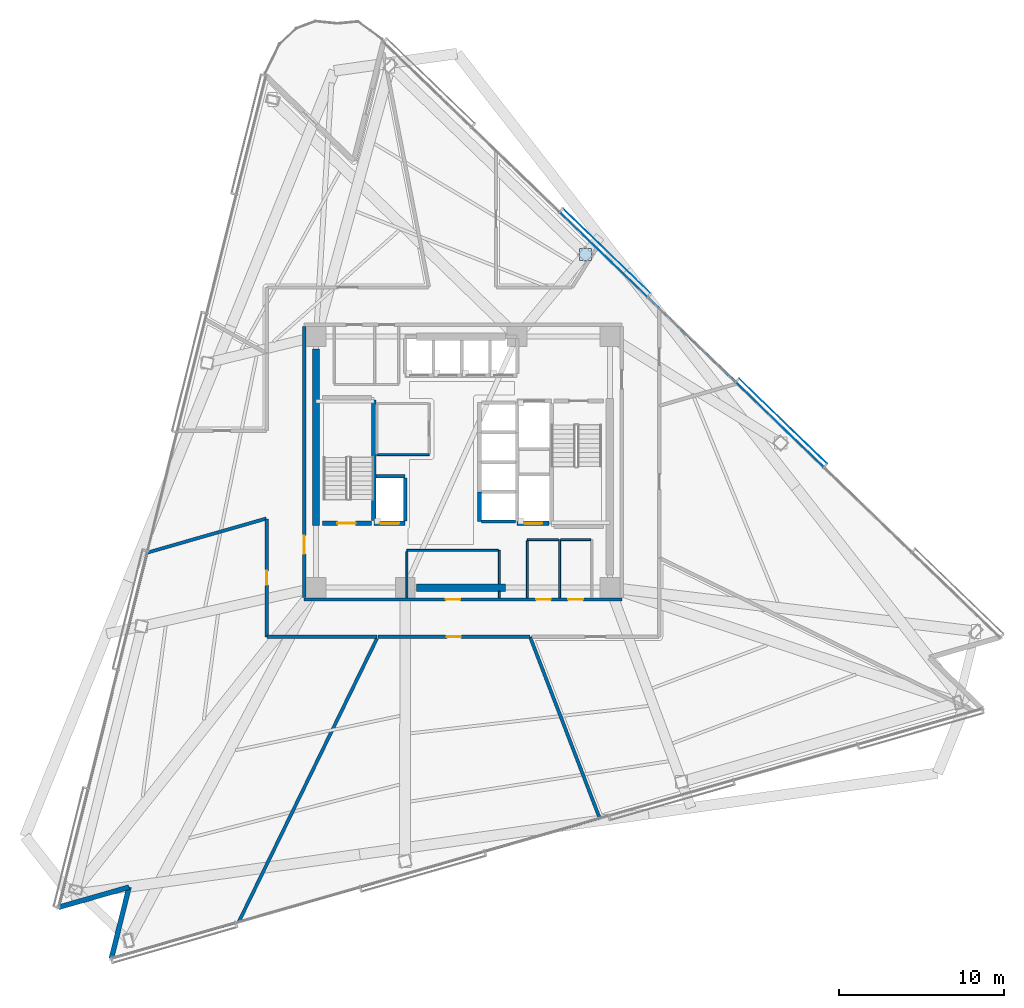
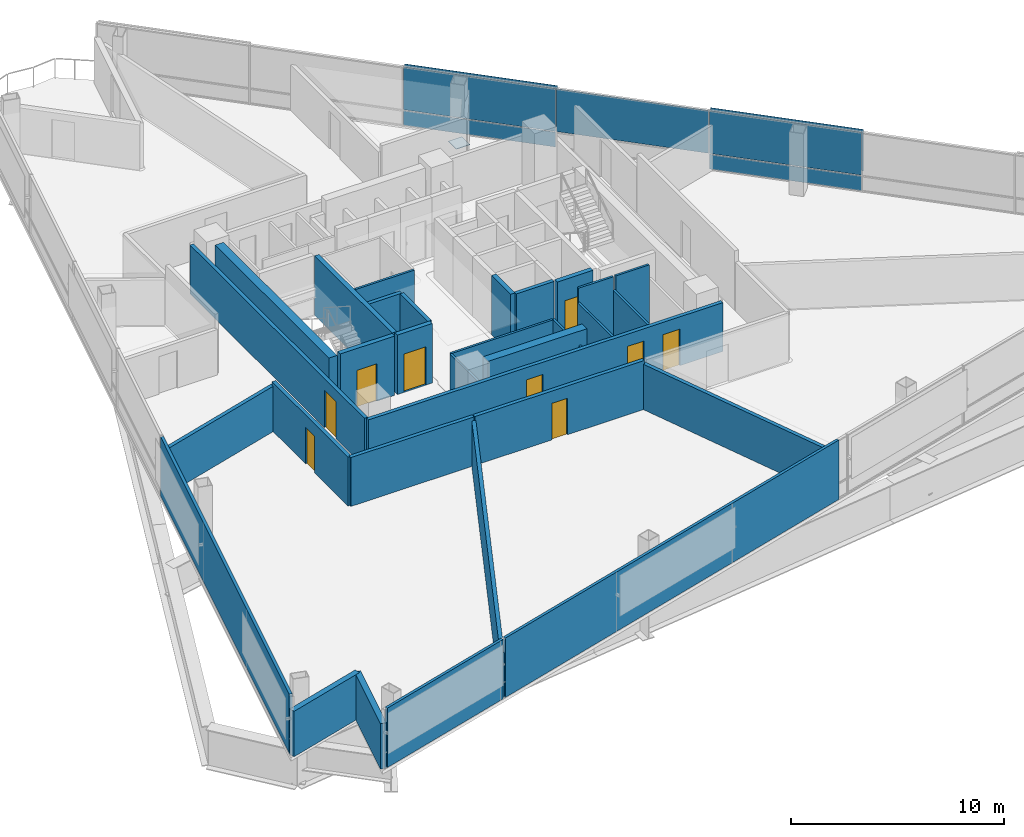
# One storey, part 11 of 21: 32 walls, 9 doors, 8 plates, 9 openings, 1 element without a shape of its own.
"""IFC4 building model written with IfcOpenShell, lengths in metres."""

import ifcopenshell
import ifcopenshell.guid

model = None  # the IFC model being written
_history = None  # IfcOwnerHistory: only IFC2X3 demands one
_inside = {}  # id of a spatial element -> (the spatial element, [elements in it])
_under = {}  # id of a project, library or spatial element -> (it, [spatial elements below it])
_declared = {}  # id of a project -> (the project, [libraries it declares])
_typed = {}  # id of a type object -> (the type object, [elements of that type])
_made_of = {}  # id of a material, layer set ... -> (it, [elements and type objects made of it])


def new_model(schema):
    """Start an empty IFC model of exactly this schema.

    Asked for "IFC4X3", IfcOpenShell would pick the latest addendum, in which some entities
    have other attributes; the version numbers below select the first issue.
    IFC2X3 requires an IfcOwnerHistory on every rooted entity: one is made here for all.
    """
    global model, _history
    if schema == "IFC4X3":
        model = ifcopenshell.file(schema_version=(4, 3, 0, 0))
    else:
        model = ifcopenshell.file(schema=schema)
    _inside.clear()
    _under.clear()
    _declared.clear()
    _typed.clear()
    _made_of.clear()
    _history = None
    if model.schema == "IFC2X3":
        org = make("IfcOrganization", Name="unknown")
        user = make(
            "IfcPersonAndOrganization",
            ThePerson=make("IfcPerson", FamilyName="unknown"),
            TheOrganization=org,
        )
        app = make(
            "IfcApplication",
            ApplicationDeveloper=org,
            Version="unknown",
            ApplicationFullName="unknown",
            ApplicationIdentifier="unknown",
        )
        _history = make(
            "IfcOwnerHistory",
            OwningUser=user,
            OwningApplication=app,
            ChangeAction="ADDED",
            CreationDate=0,
        )
    return model


def make(cls, **values):
    """One entity of the class cls with the attributes given. An attribute that is None is left unset."""
    return model.create_entity(
        cls, **{name: value for name, value in values.items() if value is not None}
    )


def rooted(cls, **values):
    """An entity with a GlobalId (a new one), such as an element, a storey or a relation."""
    return make(cls, GlobalId=ifcopenshell.guid.new(), OwnerHistory=_history, **values)


def si_unit(unit_type, name, prefix=None):
    """IfcSIUnit, for example si_unit("LENGTHUNIT", "METRE", prefix="MILLI")."""
    return make("IfcSIUnit", UnitType=unit_type, Prefix=prefix, Name=name)


def assignment(units):
    """IfcUnitAssignment: the units of a project."""
    return None if units is None else make("IfcUnitAssignment", Units=units)


def point(xyz):
    """IfcCartesianPoint."""
    return None if xyz is None else make("IfcCartesianPoint", Coordinates=xyz)


def direction(xyz):
    """IfcDirection."""
    return None if xyz is None else make("IfcDirection", DirectionRatios=xyz)


def frame(location, z_axis=None, x_axis=None):
    """IfcAxis2Placement3D, a coordinate frame: its origin and axes. An axis left out is left unset."""
    return make(
        "IfcAxis2Placement3D",
        Location=point(location),
        Axis=direction(z_axis),
        RefDirection=direction(x_axis),
    )


def frame_2d(location, x_axis=None):
    """IfcAxis2Placement2D, a coordinate frame in the plane: its origin and x axis."""
    return make(
        "IfcAxis2Placement2D", Location=point(location), RefDirection=direction(x_axis)
    )


def origin():
    """The frame at (0, 0, 0) with its axes left unset."""
    return frame((0.0, 0.0, 0.0))


def origin_2d():
    """The frame at (0, 0) in the plane with its x axis left unset."""
    return frame_2d((0.0, 0.0))


def place(relative_to, where):
    """IfcLocalPlacement: puts the frame where relative to a parent placement (None: the world)."""
    return make(
        "IfcLocalPlacement", PlacementRelTo=relative_to, RelativePlacement=where
    )


def context(
    kind, dimensions, precision=None, world=None, true_north=None, identifier=None
):
    """IfcGeometricRepresentationContext, for example the 3D "Model" context."""
    return make(
        "IfcGeometricRepresentationContext",
        ContextIdentifier=identifier,
        ContextType=kind,
        CoordinateSpaceDimension=dimensions,
        Precision=precision,
        WorldCoordinateSystem=world,
        TrueNorth=true_north,
    )


def subcontext(parent, identifier, kind, view, scale=None):
    """IfcGeometricRepresentationSubContext, for example "Body" below "Model"."""
    return make(
        "IfcGeometricRepresentationSubContext",
        ContextIdentifier=identifier,
        ContextType=kind,
        ParentContext=parent,
        TargetScale=scale,
        TargetView=view,
    )


def project(units=None, contexts=None):
    """IfcProject with its units and contexts."""
    return rooted(
        "IfcProject",
        Name="project",
        RepresentationContexts=contexts,
        UnitsInContext=assignment(units),
    )


def spatial(cls, under=None, at=None, **own):
    """A site, building, storey or space (cls), placed at a placement, below another one or the project."""
    s = rooted(cls, ObjectPlacement=at, **own)
    if under is not None:
        _under.setdefault(under.id(), (under, []))[1].append(s)
    return s


def profile(cls, at=None, kind="AREA", **sizes):
    """A parametric profile (cls). Its sizes go by their IFC names, for example OverallWidth=200.0."""
    return make(cls, ProfileType=kind, Position=at, **sizes)


def rectangle(**sizes):
    """IfcRectangleProfileDef."""
    return profile("IfcRectangleProfileDef", **sizes)


def extrude(swept, where, along, depth):
    """IfcExtrudedAreaSolid: the profile swept, set in the frame where, extruded along a direction by depth."""
    return make(
        "IfcExtrudedAreaSolid",
        SweptArea=swept,
        Position=where,
        ExtrudedDirection=direction(along),
        Depth=depth,
    )


def shape(context_of_items, identifier, shape_type, items):
    """IfcShapeRepresentation: the items that make up one representation, for example the "Body"."""
    return make(
        "IfcShapeRepresentation",
        ContextOfItems=context_of_items,
        RepresentationIdentifier=identifier,
        RepresentationType=shape_type,
        Items=items,
    )


def material(Name=None, Category=None):
    """IfcMaterial."""
    return make("IfcMaterial", Name=Name, Category=Category)


def layer(
    of_material, thickness, ventilated=None, Name=None, Category=None, Priority=None
):
    """IfcMaterialLayer: one layer of a wall or slab, of a material (None: an air gap)."""
    return make(
        "IfcMaterialLayer",
        Material=of_material,
        LayerThickness=thickness,
        IsVentilated=ventilated,
        Name=Name,
        Category=Category,
        Priority=Priority,
    )


def layer_set(layers, Name=None):
    """IfcMaterialLayerSet."""
    return make("IfcMaterialLayerSet", MaterialLayers=layers, LayerSetName=Name)


def made_of(thing, what):
    """Note that an element or type object is made of a material, layer set ...; save() writes the relation."""
    if what is not None:
        _made_of.setdefault(what.id(), (what, []))[1].append(thing)
    return thing


def type_object(cls, material=None, **own):
    """A type object (cls), such as IfcWallType, which elements share."""
    return made_of(rooted(cls, **own), material)


def element(
    cls,
    number,
    at=None,
    inside=None,
    cuts=None,
    type_object=None,
    material=None,
    context=None,
    identifier="Body",
    shape_type=None,
    held_by="IfcProductDefinitionShape",
    body=None,
    shapes=None,
    **own,
):
    """One element of the class cls, such as IfcWall. Its Tag is "e" and its number.

    at: its placement. inside: the storey or other place that contains it. cuts: it is an
    opening in that element (IfcRelVoidsElement). A single representation is given by context,
    identifier, shape_type and body (its items); several are given by shapes. held_by: the class
    of the entity that holds the representations. save() writes the other relations.
    """
    e = rooted(cls, Tag="e%d" % number, ObjectPlacement=at, **own)
    if body is not None:
        shapes = [shape(context, identifier, shape_type, body)]
    if shapes is not None:
        e.Representation = make(held_by, Representations=shapes)
    if inside is not None:
        _inside.setdefault(inside.id(), (inside, []))[1].append(e)
    if cuts is not None:
        rooted(
            "IfcRelVoidsElement", RelatingBuildingElement=cuts, RelatedOpeningElement=e
        )
    if type_object is not None:
        _typed.setdefault(type_object.id(), (type_object, []))[1].append(e)
    return made_of(e, material)


def fill(opening, filler):
    """IfcRelFillsElement: the door or window that sits in an opening."""
    return rooted(
        "IfcRelFillsElement",
        RelatingOpeningElement=opening,
        RelatedBuildingElement=filler,
    )


def aggregate(whole, parts):
    """IfcRelAggregates: a whole, such as a stair, and the parts it consists of."""
    return rooted("IfcRelAggregates", RelatingObject=whole, RelatedObjects=parts)


def save(model, path):
    """Write the relations noted so far, then the file.

    IfcRelAggregates (storeys below a building ...), IfcRelContainedInSpatialStructure (elements
    in a storey), IfcRelDefinesByType, IfcRelAssociatesMaterial and IfcRelDeclares: one each for
    every whole, place, type object, material and project.
    """
    for whole, parts in _under.values():
        aggregate(whole, parts)
    for where, things in _inside.values():
        rooted(
            "IfcRelContainedInSpatialStructure",
            RelatedElements=things,
            RelatingStructure=where,
        )
    for kind, things in _typed.values():
        rooted("IfcRelDefinesByType", RelatedObjects=things, RelatingType=kind)
    for what, things in _made_of.values():
        rooted("IfcRelAssociatesMaterial", RelatedObjects=things, RelatingMaterial=what)
    for by, libraries in _declared.values():
        rooted("IfcRelDeclares", RelatingContext=by, RelatedDefinitions=libraries)
    model.write(path)


model = new_model("IFC4")

# Units and contexts
model_context = context("Model", 3, precision=1e-05, world=origin(), true_north=direction((0.0, 1.0)))
body_context = subcontext(model_context, "Body", "Model", "MODEL_VIEW")
ifc_project = project(units=[si_unit("LENGTHUNIT", "METRE"), si_unit("AREAUNIT", "SQUARE_METRE"), si_unit("VOLUMEUNIT", "CUBIC_METRE"), si_unit("PLANEANGLEUNIT", "RADIAN"), si_unit("MASSUNIT", "GRAM", prefix="KILO")], contexts=[model_context])

# Site, building, storey
site_placement = place(None, origin())
site = spatial("IfcSite", under=ifc_project, at=site_placement, CompositionType="ELEMENT")
building_placement = place(site_placement, origin())
building = spatial("IfcBuilding", under=site, at=building_placement, Name="Tharavind Bronze Gate", CompositionType="ELEMENT")
storey_placement = place(building_placement, frame((0.0, 0.0, 86.10009765625)))
storey = spatial("IfcBuildingStorey", under=building, at=storey_placement, Name="L21", CompositionType="ELEMENT", Elevation=86.10009765625)

# Plates
ifc_material_1 = material(Name="Perforated Bronze Alloy", Category="bronze")
ifc_layer_1 = layer(ifc_material_1, 0.011962890625)
ifc_layer_set_1 = layer_set([ifc_layer_1], Name="Perforated Bronze Alloy")
plate_type_1 = type_object("IfcPlateType", Name="BRONZE PERFORATED SOLAR SCREEN", PredefinedType="USERDEFINED", material=ifc_layer_set_1)
for number, where, z_axis, x_axis, name in (
    (1, (19.384521484375, 2.469482421875, 0.96630859375), (0.0, 0.0, 1.0), (-0.719341012745, 0.694657114973, 0.0), "CW-L21-S3 perforated bronze solar screen 3"),
    (2, (8.718017578125, 12.770263671875, 0.96630859375), (0.0, 0.0, 1.0), (-0.719341012745, 0.694657114973, 0.0), "CW-L21-S3 perforated bronze solar screen 5"),
):
    element("IfcPlate", number, at=place(storey_placement, frame(where, z_axis=z_axis, x_axis=x_axis)), inside=storey, type_object=plate_type_1, Name=name, ObjectType="SCREEN", PredefinedType="USERDEFINED", context=body_context, shape_type="SweptSolid", body=[
        extrude(rectangle(XDim=7.394287109375, YDim=0.011962890625, at=origin_2d()), origin(), (0.0, 0.0, 1.0), 2.376953125),
    ])

# Curtain wall, plates
ifc_material_2 = material(Name="Anodised Bronze Aluminium", Category="aluminium")
ifc_layer_2 = layer(ifc_material_2, 0.219970703125)
ifc_layer_set_2 = layer_set([ifc_layer_2], Name="Anodised Bronze Aluminium")
curtain_wall_type = type_object("IfcCurtainWallType", Name="UNITISED CURTAIN WALL LOWER OFFICE", PredefinedType="USERDEFINED", material=ifc_layer_set_2)
curtain_wall_placement = place(storey_placement, origin())
curtain_wall = element("IfcCurtainWall", 3, at=curtain_wall_placement, inside=storey, type_object=curtain_wall_type, Name="L21 unitised curtain wall lower office CW-L21-S3", ObjectType="UNITISED CURTAIN WALL", PredefinedType="USERDEFINED")
ifc_material_3 = material(Name="Patinated Bronze Alloy Sheet", Category="bronze")
ifc_layer_3 = layer(ifc_material_3, 0.01611328125)
ifc_layer_set_3 = layer_set([ifc_layer_3], Name="Patinated Bronze Alloy Sheet")
plate_type_2 = type_object("IfcPlateType", Name="BRONZE SPANDREL CLADDING PANEL 16", PredefinedType="CURTAIN_PANEL", material=ifc_layer_set_3)
plate_1_placement = place(storey_placement, frame((19.1796875, 2.25732421875, 0.0263671875), z_axis=(0.0, 0.0, 1.0), x_axis=(-0.719341012745, 0.694657114973, 0.0)))
plate_1 = element("IfcPlate", 4, at=plate_1_placement, type_object=plate_type_2, Name="CW-L21-S3 bronze spandrel panel 3", PredefinedType="CURTAIN_PANEL", context=body_context, shape_type="SweptSolid", body=[
    extrude(rectangle(XDim=7.361083984375, YDim=0.01611328125, at=origin_2d()), origin(), (0.0, 0.0, 1.0), 0.846923828125),
])
plate_2_placement = place(storey_placement, frame((8.512939453125, 12.55810546875, 0.0263671875), z_axis=(0.0, 0.0, 1.0), x_axis=(-0.719341012745, 0.694657114973, 0.0)))
plate_2 = element("IfcPlate", 5, at=plate_2_placement, type_object=plate_type_2, Name="CW-L21-S3 bronze spandrel panel 5", PredefinedType="CURTAIN_PANEL", context=body_context, shape_type="SweptSolid", body=[
    extrude(rectangle(XDim=7.361083984375, YDim=0.01611328125, at=origin_2d()), origin(), (0.0, 0.0, 1.0), 0.846923828125),
])
ifc_material_4 = material(Name="Low-E Double Glazing", Category="glass")
ifc_layer_4 = layer(ifc_material_4, 0.031982421875)
ifc_layer_set_4 = layer_set([ifc_layer_4], Name="Low-E Double Glazing")
plate_type_3 = type_object("IfcPlateType", Name="DOUBLE GLAZED FACADE PANEL 32", PredefinedType="CURTAIN_PANEL", material=ifc_layer_set_4)
plate_3_placement = place(storey_placement, frame((19.1796875, 2.25732421875, 0.92626953125), z_axis=(0.0, 0.0, 1.0), x_axis=(-0.719341012745, 0.694657114973, 0.0)))
plate_3 = element("IfcPlate", 6, at=plate_3_placement, type_object=plate_type_3, Name="CW-L21-S3 vision glazing panel 3", PredefinedType="CURTAIN_PANEL", context=body_context, shape_type="SweptSolid", body=[
    extrude(rectangle(XDim=7.361083984375, YDim=0.031982421875, at=origin_2d()), origin(), (0.0, 0.0, 1.0), 2.45703125),
])
plate_4_placement = place(storey_placement, frame((13.84619140625, 7.40771484375, 0.92626953125), z_axis=(0.0, 0.0, 1.0), x_axis=(-0.719341012745, 0.694657114973, 0.0)))
plate_4 = element("IfcPlate", 7, at=plate_4_placement, type_object=plate_type_3, Name="CW-L21-S3 vision glazing panel 4", PredefinedType="CURTAIN_PANEL", context=body_context, shape_type="SweptSolid", body=[
    extrude(rectangle(XDim=7.361083984375, YDim=0.031982421875, at=origin_2d()), origin(), (0.0, 0.0, 1.0), 2.45703125),
])
plate_5_placement = place(storey_placement, frame((8.512939453125, 12.55810546875, 0.92626953125), z_axis=(0.0, 0.0, 1.0), x_axis=(-0.719341012745, 0.694657114973, 0.0)))
plate_5 = element("IfcPlate", 8, at=plate_5_placement, type_object=plate_type_3, Name="CW-L21-S3 vision glazing panel 5", PredefinedType="CURTAIN_PANEL", context=body_context, shape_type="SweptSolid", body=[
    extrude(rectangle(XDim=7.361083984375, YDim=0.031982421875, at=origin_2d()), origin(), (0.0, 0.0, 1.0), 2.45703125),
])
aggregate(curtain_wall, [plate_1, plate_3, plate_4, plate_2, plate_5])

# Plate
ifc_material_5 = material(Name="Steel S460", Category="steel")
ifc_layer_5 = layer(ifc_material_5, 0.02490234375)
ifc_layer_set_5 = layer_set([ifc_layer_5], Name="Steel S460")
plate_type_4 = type_object("IfcPlateType", Name="STEEL END CAP SHEET 25", PredefinedType="SHEET", material=ifc_layer_set_5)
plate_6_placement = place(storey_placement, frame((7.41455078125, 12.576171875, -0.012451171875), z_axis=(0.0, 0.0, 1.0), x_axis=(1.0, 0.0, 0.0)))
element("IfcPlate", 9, at=plate_6_placement, inside=storey, type_object=plate_type_4, Name="Steel end cap plate CAP-COLB-L21-S3C3", PredefinedType="SHEET", context=body_context, shape_type="SweptSolid", body=[
    extrude(rectangle(XDim=0.7451171875, YDim=0.7451171875, at=origin_2d()), origin(), (0.0, 0.0, 1.0), 0.02490234375),
])

# Walls
ifc_material_6 = material(Name="Concrete C40/50", Category="concrete")
ifc_layer_6 = layer(ifc_material_6, 0.300048828125)
ifc_layer_set_6 = layer_set([ifc_layer_6], Name="Concrete C40/50")
wall_type_1 = type_object("IfcWallType", Name="EXTERIOR SPANDREL WALL 300", PredefinedType="STANDARD", material=ifc_layer_set_6)
wall_1_placement = place(storey_placement, frame((-24.4892578125, -26.963623046875, 0.0), z_axis=(0.0, 0.0, 1.0), x_axis=(0.961259988927, 0.275643308803, 0.0)))
element("IfcWall", 10, at=wall_1_placement, inside=storey, type_object=wall_type_1, Name="L21 notch cheek wall 2A", PredefinedType="STANDARD", context=body_context, shape_type="SweptSolid", body=[
    extrude(rectangle(XDim=4.440185546875, YDim=0.300048828125, at=frame_2d((2.22021484375, 0.0))), origin(), (0.0, 0.0, 1.0), 2.60498046875),
])
wall_2_placement = place(storey_placement, frame((-20.22119140625, -25.73974609375, 0.0), z_axis=(0.0, 0.0, 1.0), x_axis=(-0.241940431812, -0.970291104491, 0.0)))
element("IfcWall", 11, at=wall_2_placement, inside=storey, type_object=wall_type_1, Name="L21 notch cheek wall 2B", PredefinedType="STANDARD", context=body_context, shape_type="SweptSolid", body=[
    extrude(rectangle(XDim=4.43994140625, YDim=0.300048828125, at=frame_2d((2.219970703125, 0.0))), origin(), (0.0, 0.0, 1.0), 2.60498046875),
])

# Wall, openings, doors
ifc_material_7 = material(Name="Aerated Concrete Block", Category="concrete")
ifc_layer_7 = layer(ifc_material_7, 0.199951171875)
ifc_layer_set_7 = layer_set([ifc_layer_7], Name="Aerated Concrete Block")
wall_type_2 = type_object("IfcWallType", Name="FIRE RATED PARTITION 200", PredefinedType="PARTITIONING", material=ifc_layer_set_7)
wall_3_placement = place(storey_placement, frame((-9.6201171875, -8.320068359375, 0.0), z_axis=(0.0, 0.0, 1.0), x_axis=(1.0, 0.0, 0.0)))
wall_3 = element("IfcWall", 12, at=wall_3_placement, inside=storey, type_object=wall_type_2, Name="L21 south core corridor wall", PredefinedType="PARTITIONING", context=body_context, shape_type="SweptSolid", body=[
    extrude(rectangle(XDim=19.240234375, YDim=0.199951171875, at=frame_2d((9.6201171875, 0.0))), origin(), (0.0, 0.0, 1.0), 2.804931640625),
])
opening_1_placement = place(wall_3_placement, frame((8.570068359375, 0.0, 0.0)))
opening_1 = element("IfcOpeningElement", 13, at=opening_1_placement, cuts=wall_3, Name="Opening ID07", PredefinedType="OPENING", context=body_context, shape_type="SweptSolid", body=[
    extrude(rectangle(XDim=0.89990234375, YDim=2.10009765625, at=frame_2d((0.449951171875, 1.050048828125))), frame((0.0, 0.11009765625, 0.0), z_axis=(0.0, -1.0, 0.0), x_axis=(1.0, 0.0, 0.0)), (0.0, 0.0, 1.0), 0.219951171875),
])
opening_2_placement = place(wall_3_placement, frame((14.044921875, 0.0, 0.0)))
opening_2 = element("IfcOpeningElement", 14, at=opening_2_placement, cuts=wall_3, Name="Opening ID07", PredefinedType="OPENING", context=body_context, shape_type="SweptSolid", body=[
    extrude(rectangle(XDim=0.89990234375, YDim=2.10009765625, at=frame_2d((0.449951171875, 1.050048828125))), frame((0.0, 0.11009765625, 0.0), z_axis=(0.0, -1.0, 0.0), x_axis=(1.0, 0.0, 0.0)), (0.0, 0.0, 1.0), 0.219951171875),
])
opening_3_placement = place(wall_3_placement, frame((15.9951171875, 0.0, 0.0)))
opening_3 = element("IfcOpeningElement", 15, at=opening_3_placement, cuts=wall_3, Name="Opening ID07", PredefinedType="OPENING", context=body_context, shape_type="SweptSolid", body=[
    extrude(rectangle(XDim=0.89990234375, YDim=2.10009765625, at=frame_2d((0.449951171875, 1.050048828125))), frame((0.0, 0.11009765625, 0.0), z_axis=(0.0, -1.0, 0.0), x_axis=(1.0, 0.0, 0.0)), (0.0, 0.0, 1.0), 0.219951171875),
])
ifc_material_8 = material(Name="Galvanised Fire Steel", Category="steel")
door_type_1 = type_object("IfcDoorType", Name="PLANT AND RISER FIRE DOOR 900X2100", OperationType="SINGLE_SWING_LEFT", PredefinedType="DOOR", material=ifc_material_8)
door_1_placement = place(opening_1_placement, origin())
door_1 = element("IfcDoor", 16, at=door_1_placement, inside=storey, type_object=door_type_1, Name="L21 Core BMS Control Room fire door", OperationType="SINGLE_SWING_LEFT", OverallHeight=2.10009765625, OverallWidth=0.89990234375, PredefinedType="DOOR", context=body_context, shape_type="SweptSolid", body=[
    extrude(rectangle(XDim=0.89990234375, YDim=2.10009765625, at=frame_2d((0.449951171875, 1.050048828125))), frame((0.0, 0.02490234375, 0.0), z_axis=(0.0, -1.0, 0.0), x_axis=(1.0, 0.0, 0.0)), (0.0, 0.0, 1.0), 0.050048828125),
])
fill(opening_1, door_1)
door_2_placement = place(opening_2_placement, origin())
door_2 = element("IfcDoor", 17, at=door_2_placement, inside=storey, type_object=door_type_1, Name="L21 Comms Patch Room fire door", OperationType="SINGLE_SWING_LEFT", OverallHeight=2.10009765625, OverallWidth=0.89990234375, PredefinedType="DOOR", context=body_context, shape_type="SweptSolid", body=[
    extrude(rectangle(XDim=0.89990234375, YDim=2.10009765625, at=frame_2d((0.449951171875, 1.050048828125))), frame((0.0, 0.02490234375, 0.0), z_axis=(0.0, -1.0, 0.0), x_axis=(1.0, 0.0, 0.0)), (0.0, 0.0, 1.0), 0.050048828125),
])
fill(opening_2, door_2)
door_3_placement = place(opening_3_placement, origin())
door_3 = element("IfcDoor", 18, at=door_3_placement, inside=storey, type_object=door_type_1, Name="L21 Housekeeping Store fire door", OperationType="SINGLE_SWING_LEFT", OverallHeight=2.10009765625, OverallWidth=0.89990234375, PredefinedType="DOOR", context=body_context, shape_type="SweptSolid", body=[
    extrude(rectangle(XDim=0.89990234375, YDim=2.10009765625, at=frame_2d((0.449951171875, 1.050048828125))), frame((0.0, 0.02490234375, 0.0), z_axis=(0.0, -1.0, 0.0), x_axis=(1.0, 0.0, 0.0)), (0.0, 0.0, 1.0), 0.050048828125),
])
fill(opening_3, door_3)

# Wall, opening, door
wall_4_placement = place(storey_placement, frame((-9.6201171875, 8.199951171875, 0.0), z_axis=(0.0, 0.0, 1.0), x_axis=(0.0, -1.0, 0.0)))
wall_4 = element("IfcWall", 19, at=wall_4_placement, inside=storey, type_object=wall_type_2, Name="L21 west core corridor wall", PredefinedType="PARTITIONING", context=body_context, shape_type="SweptSolid", body=[
    extrude(rectangle(XDim=16.39990234375, YDim=0.199951171875, at=frame_2d((8.199951171875, 0.0))), origin(), (0.0, 0.0, 1.0), 2.804931640625),
])
opening_4_placement = place(wall_4_placement, frame((12.64990234375, 0.0, 0.0)))
opening_4 = element("IfcOpeningElement", 20, at=opening_4_placement, cuts=wall_4, Name="Opening ID01", PredefinedType="OPENING", context=body_context, shape_type="SweptSolid", body=[
    extrude(rectangle(XDim=1.10009765625, YDim=2.14990234375, at=frame_2d((0.550048828125, 1.074951171875))), frame((0.0, 0.11009765625, 0.0), z_axis=(0.0, -1.0, 0.0), x_axis=(1.0, 0.0, 0.0)), (0.0, 0.0, 1.0), 0.219951171875),
])
ifc_material_9 = material(Name="Fire-Rated Steel", Category="steel")
door_type_2 = type_object("IfcDoorType", Name="STAIR CORE FIRE DOOR 1100X2150", OperationType="SINGLE_SWING_LEFT", PredefinedType="DOOR", material=ifc_material_9)
door_4_placement = place(opening_4_placement, frame((1.10009765625, 0.0, 0.0), z_axis=(0.0, 0.0, 1.0), x_axis=(-1.0, 0.0, 0.0)))
door_4 = element("IfcDoor", 21, at=door_4_placement, inside=storey, type_object=door_type_2, Name="L21 south west stair lobby fire door", OperationType="SINGLE_SWING_LEFT", OverallHeight=2.14990234375, OverallWidth=1.10009765625, PredefinedType="DOOR", context=body_context, shape_type="SweptSolid", body=[
    extrude(rectangle(XDim=1.10009765625, YDim=2.14990234375, at=frame_2d((0.550048828125, 1.074951171875))), frame((0.0, 0.02490234375, 0.0), z_axis=(0.0, -1.0, 0.0), x_axis=(1.0, 0.0, 0.0)), (0.0, 0.0, 1.0), 0.050048828125),
])
fill(opening_4, door_4)

# Wall
wall_5_placement = place(storey_placement, frame((-19.12060546875, -5.48291015625, 0.0), z_axis=(0.0, 0.0, 1.0), x_axis=(0.961259375601, 0.275645447665, 0.0)))
element("IfcWall", 22, at=wall_5_placement, inside=storey, type_object=wall_type_2, Name="L21 Public Restrooms Block partition", PredefinedType="PARTITIONING", context=body_context, shape_type="SweptSolid", body=[
    extrude(rectangle(XDim=7.499267578125, YDim=0.199951171875, at=frame_2d((3.74951171875, 0.0))), origin(), (0.0, 0.0, 1.0), 2.60498046875),
])

# Wall, opening, door
wall_6_placement = place(storey_placement, frame((-11.8798828125, -3.439697265625, 0.0), z_axis=(0.0, 0.0, 1.0), x_axis=(0.0, -1.0, 0.0)))
wall_6 = element("IfcWall", 23, at=wall_6_placement, inside=storey, type_object=wall_type_2, Name="L21 Public Restrooms Block partition", PredefinedType="PARTITIONING", context=body_context, shape_type="SweptSolid", body=[
    extrude(rectangle(XDim=7.1396484375, YDim=0.199951171875, at=frame_2d((3.56982421875, 0.0))), origin(), (0.0, 0.0, 1.0), 2.804931640625),
])
opening_5_placement = place(wall_6_placement, frame((3.14501953125, 0.0, 0.0)))
opening_5 = element("IfcOpeningElement", 24, at=opening_5_placement, cuts=wall_6, Name="Opening ID06", PredefinedType="OPENING", context=body_context, shape_type="SweptSolid", body=[
    extrude(rectangle(XDim=0.85009765625, YDim=2.10009765625, at=frame_2d((0.425048828125, 1.050048828125))), frame((0.0, 0.11009765625, 0.0), z_axis=(0.0, -1.0, 0.0), x_axis=(1.0, 0.0, 0.0)), (0.0, 0.0, 1.0), 0.219951171875),
])
ifc_material_10 = material(Name="Moisture-Resistant Timber", Category="wood")
door_type_3 = type_object("IfcDoorType", Name="BATHROOM PRIVACY DOOR 850X2100", OperationType="SINGLE_SWING_RIGHT", PredefinedType="DOOR", material=ifc_material_10)
door_5_placement = place(opening_5_placement, origin())
door_5 = element("IfcDoor", 25, at=door_5_placement, inside=storey, type_object=door_type_3, Name="L21 Public Restrooms Block door", OperationType="SINGLE_SWING_RIGHT", OverallHeight=2.10009765625, OverallWidth=0.85009765625, PredefinedType="DOOR", context=body_context, shape_type="SweptSolid", body=[
    extrude(rectangle(XDim=0.85009765625, YDim=2.10009765625, at=frame_2d((0.425048828125, 1.050048828125))), frame((0.0, 0.02490234375, 0.0), z_axis=(0.0, -1.0, 0.0), x_axis=(1.0, 0.0, 0.0)), (0.0, 0.0, 1.0), 0.050048828125),
])
fill(opening_5, door_5)

# Walls
wall_7_placement = place(storey_placement, frame((-11.87939453125, -10.580078125, 0.0), z_axis=(0.0, 0.0, 1.0), x_axis=(1.0, 0.0, 0.0)))
element("IfcWall", 26, at=wall_7_placement, inside=storey, type_object=wall_type_2, Name="L21 Public Restrooms Block partition", PredefinedType="PARTITIONING", context=body_context, shape_type="SweptSolid", body=[
    extrude(rectangle(XDim=6.67919921875, YDim=0.199951171875, at=frame_2d((3.339599609375, 0.0))), origin(), (0.0, 0.0, 1.0), 2.804931640625),
])
wall_8_placement = place(storey_placement, frame((-5.21142578125, -10.68505859375, 0.0), z_axis=(0.0, 0.0, 1.0), x_axis=(-0.438373182397, -0.898793053464, 0.0)))
element("IfcWall", 27, at=wall_8_placement, inside=storey, type_object=wall_type_2, Name="L21 Public Restrooms Block partition", PredefinedType="PARTITIONING", context=body_context, shape_type="SweptSolid", body=[
    extrude(rectangle(XDim=19.069091796875, YDim=0.199951171875, at=frame_2d((9.53466796875, 0.0))), origin(), (0.0, 0.0, 1.0), 2.60498046875),
])

# Wall, opening, door
wall_9_placement = place(storey_placement, frame((-5.14453125, -10.580078125, 0.0), z_axis=(0.0, 0.0, 1.0), x_axis=(1.0, 0.0, 0.0)))
wall_9 = element("IfcWall", 28, at=wall_9_placement, inside=storey, type_object=wall_type_2, Name="L21 Public Restrooms Block partition", PredefinedType="PARTITIONING", context=body_context, shape_type="SweptSolid", body=[
    extrude(rectangle(XDim=9.188720703125, YDim=0.199951171875, at=frame_2d((4.59423828125, 0.0))), origin(), (0.0, 0.0, 1.0), 2.804931640625),
])
opening_6_placement = place(wall_9_placement, frame((4.1689453125, 0.0, 0.0)))
opening_6 = element("IfcOpeningElement", 29, at=opening_6_placement, cuts=wall_9, Name="Opening ID06", PredefinedType="OPENING", context=body_context, shape_type="SweptSolid", body=[
    extrude(rectangle(XDim=0.85009765625, YDim=2.10009765625, at=frame_2d((0.425048828125, 1.050048828125))), frame((0.0, 0.11009765625, 0.0), z_axis=(0.0, -1.0, 0.0), x_axis=(1.0, 0.0, 0.0)), (0.0, 0.0, 1.0), 0.219951171875),
])
door_6_placement = place(opening_6_placement, origin())
door_6 = element("IfcDoor", 30, at=door_6_placement, inside=storey, type_object=door_type_3, Name="L21 Public Restrooms Block door", OperationType="SINGLE_SWING_RIGHT", OverallHeight=2.10009765625, OverallWidth=0.85009765625, PredefinedType="DOOR", context=body_context, shape_type="SweptSolid", body=[
    extrude(rectangle(XDim=0.85009765625, YDim=2.10009765625, at=frame_2d((0.425048828125, 1.050048828125))), frame((0.0, 0.02490234375, 0.0), z_axis=(0.0, -1.0, 0.0), x_axis=(1.0, 0.0, 0.0)), (0.0, 0.0, 1.0), 0.050048828125),
])
fill(opening_6, door_6)

# Walls
wall_10_placement = place(storey_placement, frame((4.0673828125, -10.595947265625, 0.0), z_axis=(0.0, 0.0, 1.0), x_axis=(0.358376224971, -0.933577249817, 0.0)))
element("IfcWall", 31, at=wall_10_placement, inside=storey, type_object=wall_type_2, Name="L21 Public Restrooms Block partition", PredefinedType="PARTITIONING", context=body_context, shape_type="SweptSolid", body=[
    extrude(rectangle(XDim=11.724853515625, YDim=0.199951171875, at=frame_2d((5.8623046875, 0.0))), origin(), (0.0, 0.0, 1.0), 2.60498046875),
])
ifc_material_11 = material(Name="Metal Stud Gypsum Partition", Category="gypsum")
ifc_layer_8 = layer(ifc_material_11, 0.1201171875)
ifc_layer_set_8 = layer_set([ifc_layer_8], Name="Metal Stud Gypsum Partition")
wall_type_3 = type_object("IfcWallType", Name="INTERIOR PARTITION WALL 120", PredefinedType="PARTITIONING", material=ifc_layer_set_8)
wall_11_placement = place(storey_placement, frame((-5.219970703125, 0.449951171875, 0.0), z_axis=(0.0, 0.0, 1.0), x_axis=(1.0, 0.0, 0.0)))
element("IfcWall", 32, at=wall_11_placement, inside=storey, type_object=wall_type_3, Name="L21 Electrical & Telecom Store partition 1", PredefinedType="PARTITIONING", context=body_context, shape_type="SweptSolid", body=[
    extrude(rectangle(XDim=3.169921875, YDim=0.1201171875, at=frame_2d((1.5849609375, 0.0))), origin(), (0.0, 0.0, 1.0), 3.409912109375),
])
wall_12_placement = place(storey_placement, frame((2.199951171875, -8.215087890625, 0.0), z_axis=(0.0, 0.0, 1.0), x_axis=(0.0, 1.0, 0.0)))
element("IfcWall", 33, at=wall_12_placement, inside=storey, type_object=wall_type_3, Name="L21 Core BMS Control Room partition 2", PredefinedType="PARTITIONING", context=body_context, shape_type="SweptSolid", body=[
    extrude(rectangle(XDim=0.385009765625, YDim=0.1201171875, at=frame_2d((0.1923828125, 0.0))), origin(), (0.0, 0.0, 1.0), 2.60498046875),
])
wall_13_placement = place(storey_placement, frame((2.199951171875, -7.3701171875, 0.0), z_axis=(0.0, 0.0, 1.0), x_axis=(0.0, 1.0, 0.0)))
element("IfcWall", 34, at=wall_13_placement, inside=storey, type_object=wall_type_3, Name="L21 Core BMS Control Room partition 2", PredefinedType="PARTITIONING", context=body_context, shape_type="SweptSolid", body=[
    extrude(rectangle(XDim=2.02001953125, YDim=0.1201171875, at=frame_2d((1.010009765625, 0.0))), origin(), (0.0, 0.0, 1.0), 2.60498046875),
])
wall_14_placement = place(storey_placement, frame((2.135009765625, -5.35009765625, 0.0), z_axis=(0.0, 0.0, 1.0), x_axis=(-1.0, 0.0, 0.0)))
element("IfcWall", 35, at=wall_14_placement, inside=storey, type_object=wall_type_3, Name="L21 Core BMS Control Room partition 3", PredefinedType="PARTITIONING", context=body_context, shape_type="SweptSolid", body=[
    extrude(rectangle(XDim=5.534912109375, YDim=0.1201171875, at=frame_2d((2.767578125, 0.0))), origin(), (0.0, 0.0, 1.0), 2.60498046875),
])
wall_15_placement = place(storey_placement, frame((-3.39990234375, -5.4150390625, 0.0), z_axis=(0.0, 0.0, 1.0), x_axis=(0.0, -1.0, 0.0)))
element("IfcWall", 36, at=wall_15_placement, inside=storey, type_object=wall_type_3, Name="L21 Core BMS Control Room partition 4", PredefinedType="PARTITIONING", context=body_context, shape_type="SweptSolid", body=[
    extrude(rectangle(XDim=2.800048828125, YDim=0.1201171875, at=frame_2d((1.39990234375, 0.0))), origin(), (0.0, 0.0, 1.0), 2.60498046875),
])
wall_16_placement = place(storey_placement, frame((5.85009765625, -8.215087890625, 0.0), z_axis=(0.0, 0.0, 1.0), x_axis=(0.0, 1.0, 0.0)))
element("IfcWall", 37, at=wall_16_placement, inside=storey, type_object=wall_type_3, Name="L21 Comms Patch Room partition 2", PredefinedType="PARTITIONING", context=body_context, shape_type="SweptSolid", body=[
    extrude(rectangle(XDim=3.51513671875, YDim=0.1201171875, at=frame_2d((1.757568359375, 0.0))), origin(), (0.0, 0.0, 1.0), 2.60498046875),
])
wall_17_placement = place(storey_placement, frame((5.784912109375, -4.699951171875, 0.0), z_axis=(0.0, 0.0, 1.0), x_axis=(-1.0, 0.0, 0.0)))
element("IfcWall", 38, at=wall_17_placement, inside=storey, type_object=wall_type_3, Name="L21 Comms Patch Room partition 3", PredefinedType="PARTITIONING", context=body_context, shape_type="SweptSolid", body=[
    extrude(rectangle(XDim=1.885009765625, YDim=0.1201171875, at=frame_2d((0.9423828125, 0.0))), origin(), (0.0, 0.0, 1.0), 3.409912109375),
])
wall_18_placement = place(storey_placement, frame((3.89990234375, -4.764892578125, 0.0), z_axis=(0.0, 0.0, 1.0), x_axis=(0.0, -1.0, 0.0)))
element("IfcWall", 39, at=wall_18_placement, inside=storey, type_object=wall_type_3, Name="L21 Comms Patch Room partition 4", PredefinedType="PARTITIONING", context=body_context, shape_type="SweptSolid", body=[
    extrude(rectangle(XDim=3.4501953125, YDim=0.1201171875, at=frame_2d((1.72509765625, 0.0))), origin(), (0.0, 0.0, 1.0), 2.60498046875),
])
wall_19_placement = place(storey_placement, frame((7.735107421875, -4.699951171875, 0.0), z_axis=(0.0, 0.0, 1.0), x_axis=(-1.0, 0.0, 0.0)))
element("IfcWall", 40, at=wall_19_placement, inside=storey, type_object=wall_type_3, Name="L21 Housekeeping Store partition 3", PredefinedType="PARTITIONING", context=body_context, shape_type="SweptSolid", body=[
    extrude(rectangle(XDim=1.820068359375, YDim=0.1201171875, at=frame_2d((0.91015625, 0.0))), origin(), (0.0, 0.0, 1.0), 3.409912109375),
])
ifc_material_12 = material(Name="Twin Stud Acoustic Gypsum", Category="gypsum")
ifc_layer_9 = layer(ifc_material_12, 0.14990234375)
ifc_layer_set_9 = layer_set([ifc_layer_9], Name="Twin Stud Acoustic Gypsum")
wall_type_4 = type_object("IfcWallType", Name="INTERIOR PARTITION WALL 150", PredefinedType="PARTITIONING", material=ifc_layer_set_9)
wall_20_placement = place(storey_placement, frame((-24.446044921875, -26.789794921875, 0.0), z_axis=(0.0, 0.0, 1.0), x_axis=(0.241928161831, 0.970294163908, 0.0)))
element("IfcWall", 41, at=wall_20_placement, inside=storey, type_object=wall_type_4, Name="L21 Public Restrooms Block partition", PredefinedType="PARTITIONING", context=body_context, shape_type="SweptSolid", body=[
    extrude(rectangle(XDim=21.94091796875, YDim=0.14990234375, at=frame_2d((10.970458984375, 0.0))), origin(), (0.0, 0.0, 1.0), 3.409912109375),
])
wall_21_placement = place(storey_placement, frame((-13.586181640625, -27.837158203125, 0.0), z_axis=(0.0, 0.0, 1.0), x_axis=(-0.961259140901, -0.275646266135, 0.0)))
element("IfcWall", 42, at=wall_21_placement, inside=storey, type_object=wall_type_4, Name="L21 Public Restrooms Block partition", PredefinedType="PARTITIONING", context=body_context, shape_type="SweptSolid", body=[
    extrude(rectangle(XDim=7.841064453125, YDim=0.14990234375, at=frame_2d((3.92041015625, 0.0))), origin(), (0.0, 0.0, 1.0), 3.409912109375),
])
wall_22_placement = place(storey_placement, frame((8.252685546875, -21.574951171875, 0.0), z_axis=(0.0, 0.0, 1.0), x_axis=(-0.961261412197, -0.275638345338, 0.0)))
element("IfcWall", 43, at=wall_22_placement, inside=storey, type_object=wall_type_4, Name="L21 Public Restrooms Block partition", PredefinedType="PARTITIONING", context=body_context, shape_type="SweptSolid", body=[
    extrude(rectangle(XDim=22.566650390625, YDim=0.14990234375, at=frame_2d((11.283203125, 0.0))), origin(), (0.0, 0.0, 1.0), 3.409912109375),
])
ifc_material_13 = material(Name="Concrete C50/60", Category="concrete")
ifc_layer_10 = layer(ifc_material_13, 0.25)
ifc_layer_set_10 = layer_set([ifc_layer_10], Name="Concrete C50/60")
wall_type_5 = type_object("IfcWallType", Name="RC CORE SHEAR WALL 250", PredefinedType="SHEAR", material=ifc_layer_set_10)
wall_23_placement = place(storey_placement, frame((-5.39990234375, -3.550048828125, 0.0), z_axis=(0.0, 0.0, 1.0), x_axis=(0.0, 1.0, 0.0)))
element("IfcWall", 44, at=wall_23_placement, inside=storey, type_object=wall_type_5, Name="L21 ST1 shaft east wall", PredefinedType="SHEAR", context=body_context, shape_type="SweptSolid", body=[
    extrude(rectangle(XDim=7.300048828125, YDim=0.25, at=frame_2d((3.64990234375, 0.0))), origin(), (0.0, 0.0, 1.0), 3.409912109375),
])

# Wall, opening, door
wall_24_placement = place(storey_placement, frame((-8.5, -3.699951171875, 0.0), z_axis=(0.0, 0.0, 1.0), x_axis=(1.0, 0.0, 0.0)))
wall_24 = element("IfcWall", 45, at=wall_24_placement, inside=storey, type_object=wall_type_5, Name="L21 ST1 shaft south wall", PredefinedType="SHEAR", context=body_context, shape_type="SweptSolid", body=[
    extrude(rectangle(XDim=2.949951171875, YDim=0.25, at=frame_2d((1.47509765625, 0.0))), origin(), (0.0, 0.0, 1.0), 3.409912109375),
])
opening_7_placement = place(wall_24_placement, frame((0.89990234375, 0.0, 0.0)))
opening_7 = element("IfcOpeningElement", 46, at=opening_7_placement, cuts=wall_24, Name="Opening ID01", PredefinedType="OPENING", context=body_context, shape_type="SweptSolid", body=[
    extrude(rectangle(XDim=1.10009765625, YDim=2.14990234375, at=frame_2d((0.550048828125, 1.074951171875))), frame((0.0, 0.135, 0.0), z_axis=(0.0, -1.0, 0.0), x_axis=(1.0, 0.0, 0.0)), (0.0, 0.0, 1.0), 0.27),
])
door_7_placement = place(opening_7_placement, origin())
door_7 = element("IfcDoor", 47, at=door_7_placement, inside=storey, type_object=door_type_2, Name="L21 exit stair ST1 fire door", OperationType="SINGLE_SWING_LEFT", OverallHeight=2.14990234375, OverallWidth=1.10009765625, PredefinedType="DOOR", context=body_context, shape_type="SweptSolid", body=[
    extrude(rectangle(XDim=1.10009765625, YDim=2.14990234375, at=frame_2d((0.550048828125, 1.074951171875))), frame((0.0, 0.02490234375, 0.0), z_axis=(0.0, -1.0, 0.0), x_axis=(1.0, 0.0, 0.0)), (0.0, 0.0, 1.0), 0.050048828125),
])
fill(opening_7, door_7)

# Wall
wall_25_placement = place(storey_placement, frame((1.0, -3.60009765625, 0.0), z_axis=(0.0, 0.0, 1.0), x_axis=(0.0, 1.0, 0.0)))
element("IfcWall", 48, at=wall_25_placement, inside=storey, type_object=wall_type_5, Name="L21 lift PL9 shaft front wall", PredefinedType="SHEAR", context=body_context, shape_type="SweptSolid", body=[
    extrude(rectangle(XDim=1.800048828125, YDim=0.25, at=frame_2d((0.89990234375, 0.0))), origin(), (0.0, 0.0, 1.0), 3.409912109375),
])

# Wall, opening, door
wall_26_placement = place(storey_placement, frame((-5.39990234375, -3.699951171875, 0.0), z_axis=(0.0, 0.0, 1.0), x_axis=(1.0, 0.0, 0.0)))
wall_26 = element("IfcWall", 49, at=wall_26_placement, inside=storey, type_object=wall_type_5, Name="L21 lift FFL1 shaft front wall", PredefinedType="SHEAR", context=body_context, shape_type="SweptSolid", body=[
    extrude(rectangle(XDim=1.89990234375, YDim=0.25, at=frame_2d((0.949951171875, 0.0))), origin(), (0.0, 0.0, 1.0), 3.409912109375),
])
opening_8_placement = place(wall_26_placement, frame((0.35009765625, 0.0, 0.0)))
opening_8 = element("IfcOpeningElement", 50, at=opening_8_placement, cuts=wall_26, Name="Opening LD02", PredefinedType="OPENING", context=body_context, shape_type="SweptSolid", body=[
    extrude(rectangle(XDim=1.199951171875, YDim=2.199951171875, at=frame_2d((0.60009765625, 1.10009765625))), frame((0.0, 0.135, 0.0), z_axis=(0.0, -1.0, 0.0), x_axis=(1.0, 0.0, 0.0)), (0.0, 0.0, 1.0), 0.27),
])
ifc_material_14 = material(Name="Brushed Stainless Steel", Category="steel")
door_type_4 = type_object("IfcDoorType", Name="FIREFIGHTING LIFT LANDING DOOR 1200X2200", OperationType="SLIDING_TO_RIGHT", PredefinedType="DOOR", material=ifc_material_14)
door_8_placement = place(opening_8_placement, origin())
door_8 = element("IfcDoor", 51, at=door_8_placement, inside=storey, type_object=door_type_4, Name="L21 lift FFL1 sliding landing door", OperationType="SLIDING_TO_RIGHT", OverallHeight=2.199951171875, OverallWidth=1.199951171875, PredefinedType="DOOR", context=body_context, shape_type="SweptSolid", body=[
    extrude(rectangle(XDim=1.199951171875, YDim=2.199951171875, at=frame_2d((0.60009765625, 1.10009765625))), frame((0.0, 0.02490234375, 0.0), z_axis=(0.0, -1.0, 0.0), x_axis=(1.0, 0.0, 0.0)), (0.0, 0.0, 1.0), 0.050048828125),
])
fill(opening_8, door_8)

wall_27_placement = place(storey_placement, frame((3.280029296875, -3.699951171875, 0.0), z_axis=(0.0, 0.0, 1.0), x_axis=(1.0, 0.0, 0.0)))
wall_27 = element("IfcWall", 52, at=wall_27_placement, inside=storey, type_object=wall_type_5, Name="L21 lift SVL1 shaft front wall", PredefinedType="SHEAR", context=body_context, shape_type="SweptSolid", body=[
    extrude(rectangle(XDim=1.93994140625, YDim=0.25, at=frame_2d((0.969970703125, 0.0))), origin(), (0.0, 0.0, 1.0), 3.409912109375),
])
opening_9_placement = place(wall_27_placement, frame((0.419921875, 0.0, 0.0)))
opening_9 = element("IfcOpeningElement", 53, at=opening_9_placement, cuts=wall_27, Name="Opening LD01", PredefinedType="OPENING", context=body_context, shape_type="SweptSolid", body=[
    extrude(rectangle(XDim=1.10009765625, YDim=2.199951171875, at=frame_2d((0.550048828125, 1.10009765625))), frame((0.0, 0.135, 0.0), z_axis=(0.0, -1.0, 0.0), x_axis=(1.0, 0.0, 0.0)), (0.0, 0.0, 1.0), 0.27),
])
ifc_material_15 = material(Name="Brushed Bronze Stainless Steel", Category="steel")
door_type_5 = type_object("IfcDoorType", Name="LIFT LANDING SLIDING DOOR 1100X2200", OperationType="SLIDING_TO_LEFT", PredefinedType="DOOR", material=ifc_material_15)
door_9_placement = place(opening_9_placement, origin())
door_9 = element("IfcDoor", 54, at=door_9_placement, inside=storey, type_object=door_type_5, Name="L21 lift SVL1 sliding landing door", OperationType="SLIDING_TO_LEFT", OverallHeight=2.199951171875, OverallWidth=1.10009765625, PredefinedType="DOOR", context=body_context, shape_type="SweptSolid", body=[
    extrude(rectangle(XDim=1.10009765625, YDim=2.199951171875, at=frame_2d((0.550048828125, 1.10009765625))), frame((0.0, 0.02490234375, 0.0), z_axis=(0.0, -1.0, 0.0), x_axis=(1.0, 0.0, 0.0)), (0.0, 0.0, 1.0), 0.050048828125),
])
fill(opening_9, door_9)

# Walls
ifc_material_16 = material(Name="Concrete C60/75", Category="concrete")
ifc_layer_11 = layer(ifc_material_16, 0.449951171875)
ifc_layer_set_11 = layer_set([ifc_layer_11], Name="Concrete C60/75")
wall_type_6 = type_object("IfcWallType", Name="RC CORE SHEAR WALL 450", PredefinedType="SHEAR", material=ifc_layer_set_11)
wall_28_placement = place(storey_placement, frame((-2.800048828125, -7.60009765625, 0.0), z_axis=(0.0, 0.0, 1.0), x_axis=(1.0, 0.0, 0.0)))
element("IfcWall", 55, at=wall_28_placement, inside=storey, type_object=wall_type_6, Name="L21 south core shear wall", PredefinedType="SHEAR", context=body_context, shape_type="SweptSolid", body=[
    extrude(rectangle(XDim=5.380126953125, YDim=0.449951171875, at=frame_2d((2.68994140625, 0.0))), origin(), (0.0, 0.0, 1.0), 3.409912109375),
])
wall_29_placement = place(storey_placement, frame((-8.89990234375, -3.85009765625, 0.0), z_axis=(0.0, 0.0, 1.0), x_axis=(0.0, 1.0, 0.0)))
element("IfcWall", 56, at=wall_29_placement, inside=storey, type_object=wall_type_6, Name="L21 west core shear wall", PredefinedType="SHEAR", context=body_context, shape_type="SweptSolid", body=[
    extrude(rectangle(XDim=10.7001953125, YDim=0.449951171875, at=frame_2d((5.35009765625, 0.0))), origin(), (0.0, 0.0, 1.0), 3.409912109375),
])
ifc_layer_12 = layer(ifc_material_6, 0.199951171875)
ifc_layer_set_12 = layer_set([ifc_layer_12], Name="Concrete C40/50")
wall_type_7 = type_object("IfcWallType", Name="SHAFT ENCLOSURE WALL 200", PredefinedType="PARTITIONING", material=ifc_layer_set_12)
wall_30_placement = place(storey_placement, frame((1.1298828125, -3.60009765625, 0.0), z_axis=(0.0, 0.0, 1.0), x_axis=(1.0, 0.0, 0.0)))
element("IfcWall", 57, at=wall_30_placement, inside=storey, type_object=wall_type_7, Name="L21 lift PL9 shaft S enclosure wall", PredefinedType="PARTITIONING", context=body_context, shape_type="SweptSolid", body=[
    extrude(rectangle(XDim=2.045166015625, YDim=0.199951171875, at=frame_2d((1.0224609375, 0.0))), origin(), (0.0, 0.0, 1.0), 3.409912109375),
])
wall_31_placement = place(storey_placement, frame((-5.27001953125, -0.85009765625, 0.0), z_axis=(0.0, 0.0, 1.0), x_axis=(1.0, 0.0, 0.0)))
element("IfcWall", 58, at=wall_31_placement, inside=storey, type_object=wall_type_7, Name="L21 lift FFL1 shaft N enclosure wall", PredefinedType="PARTITIONING", context=body_context, shape_type="SweptSolid", body=[
    extrude(rectangle(XDim=1.77001953125, YDim=0.199951171875, at=frame_2d((0.885009765625, 0.0))), origin(), (0.0, 0.0, 1.0), 3.409912109375),
])
wall_32_placement = place(storey_placement, frame((-3.5, -3.570068359375, 0.0), z_axis=(0.0, 0.0, 1.0), x_axis=(0.0, 1.0, 0.0)))
element("IfcWall", 59, at=wall_32_placement, inside=storey, type_object=wall_type_7, Name="L21 lift FFL1 shaft E enclosure wall", PredefinedType="PARTITIONING", context=body_context, shape_type="SweptSolid", body=[
    extrude(rectangle(XDim=2.614990234375, YDim=0.199951171875, at=frame_2d((1.3076171875, 0.0))), origin(), (0.0, 0.0, 1.0), 3.409912109375),
])

save(model, "model.ifc")
